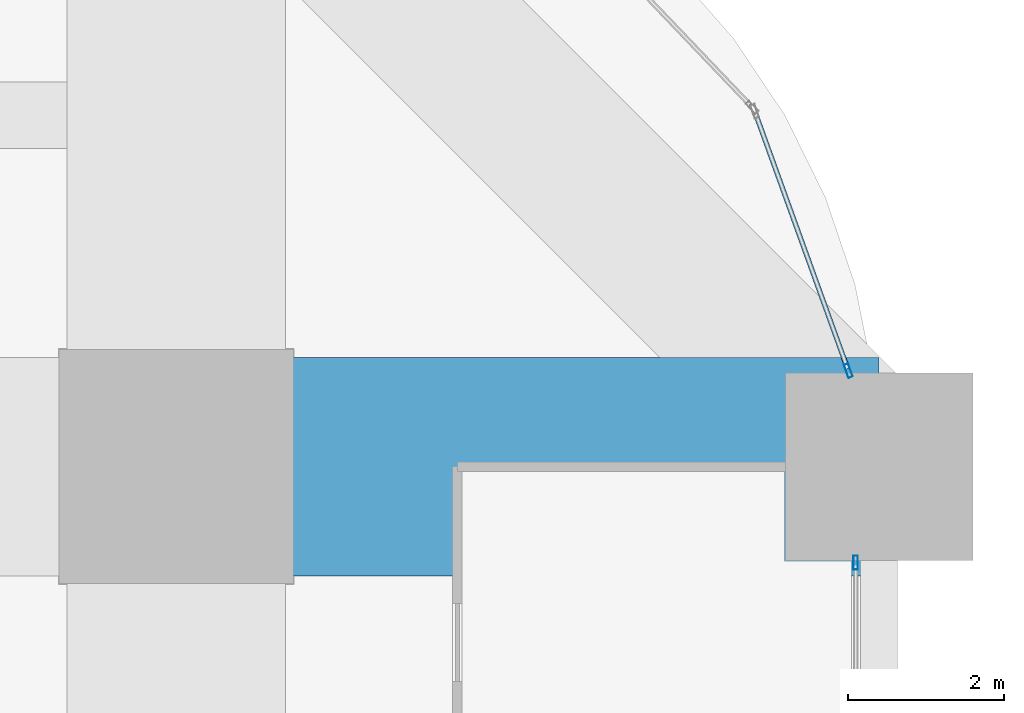
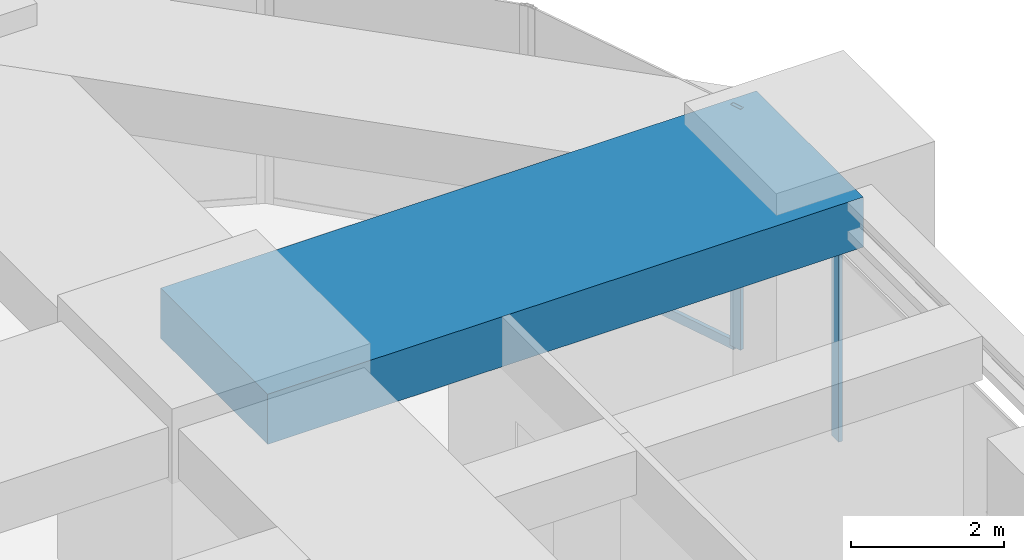
# One storey, part 33 of 42: 3 members, 1 beam, 2 elements without a shape of their own.
"""IFC4 building model written with IfcOpenShell, lengths in metres."""

from ifc_helpers import new_model, si_unit, direction, frame, origin, origin_2d, place, context, subcontext, project, spatial, rectangle, hollow_rectangle, extrude, material, material_profile, profile_set, type_object, element, aggregate, save


model = new_model("IFC4")

# Units and contexts
model_context = context("Model", 3, precision=1e-05, world=origin(), true_north=direction((0.0, 1.0)))
body_context = subcontext(model_context, "Body", "Model", "MODEL_VIEW")
ifc_project = project(units=[si_unit("LENGTHUNIT", "METRE"), si_unit("AREAUNIT", "SQUARE_METRE"), si_unit("VOLUMEUNIT", "CUBIC_METRE"), si_unit("PLANEANGLEUNIT", "RADIAN"), si_unit("MASSUNIT", "GRAM", prefix="KILO")], contexts=[model_context])

# Site, building, storey
site_placement = place(None, origin())
site = spatial("IfcSite", under=ifc_project, at=site_placement, CompositionType="ELEMENT")
building_placement = place(site_placement, origin())
building = spatial("IfcBuilding", under=site, at=building_placement, Name="Zorevar Civic Tower", CompositionType="ELEMENT")
storey_placement = place(building_placement, frame((0.0, 0.0, 75.800048828125)))
storey = spatial("IfcBuildingStorey", under=building, at=storey_placement, Name="L18", CompositionType="ELEMENT", Elevation=75.800048828125)

# Beam
ifc_material_1 = material(Name="Concrete C50/60", Category="concrete")
ifc_material_profile_1 = material_profile(ifc_material_1, rectangle(XDim=2.800048828125, YDim=0.800048828125, at=origin_2d()), Name="RC 2800x800")
ifc_profile_set_1 = profile_set([ifc_material_profile_1], Name="Concrete C50/60")
beam_type = type_object("IfcBeamType", Name="Beam RC 2800x800", PredefinedType="BEAM", material=ifc_profile_set_1)
beam_placement = place(storey_placement, frame((54.0, 45.0, 3.449951171875), z_axis=(1.0, 0.0, 0.0), x_axis=(0.0, 1.0, 0.0)))
element("IfcBeam", 1, at=beam_placement, inside=storey, type_object=beam_type, Name="Girder L19", PredefinedType="BEAM", context=body_context, shape_type="SweptSolid", body=[
    extrude(rectangle(XDim=2.800048828125, YDim=0.800048828125, at=origin_2d()), origin(), (0.0, 0.0, 1.0), 9.0),
])

# Curtain wall, member
ifc_material_2 = material(Name="Dark grey solar-control glass in black aluminium frame", Category="aluminium")
curtain_wall_type = type_object("IfcCurtainWallType", Name="Curtain wall CW2 low zone", PredefinedType="NOTDEFINED", material=ifc_material_2)
curtain_wall_1_placement = place(storey_placement, origin())
curtain_wall_1 = element("IfcCurtainWall", 2, at=curtain_wall_1_placement, inside=storey, type_object=curtain_wall_type, Name="CW2 L18", PredefinedType="NOTDEFINED")
ifc_material_3 = material(Name="Aluminium, black anodised", Category="aluminium")
ifc_material_profile_2 = material_profile(ifc_material_3, hollow_rectangle(XDim=0.06005859375, YDim=0.179931640625, WallThickness=0.00390625, at=origin_2d()), Name="AL 180x60x4")
ifc_profile_set_2 = profile_set([ifc_material_profile_2], Name="Aluminium, black anodised")
member_type_1 = type_object("IfcMemberType", Name="CW2 mullion AL 180x60x4", PredefinedType="MULLION", material=ifc_profile_set_2)
member_1_placement = place(storey_placement, frame((62.699951171875, 43.77001953125, 0.0), z_axis=(0.0, 0.0, 1.0), x_axis=(-1.0, 0.0, 0.0)))
member_1 = element("IfcMember", 3, at=member_1_placement, type_object=member_type_1, Name="CW2 mullion 2", PredefinedType="MULLION", context=body_context, shape_type="SweptSolid", body=[
    extrude(hollow_rectangle(XDim=0.06005859375, YDim=0.179931640625, WallThickness=0.00390625, at=origin_2d()), origin(), (0.0, 0.0, 1.0), 3.050048828125),
])
aggregate(curtain_wall_1, [member_1])

# Curtain wall, members
curtain_wall_2_placement = place(storey_placement, origin())
curtain_wall_2 = element("IfcCurtainWall", 4, at=curtain_wall_2_placement, inside=storey, type_object=curtain_wall_type, Name="CW2 L18", PredefinedType="NOTDEFINED")
member_2_placement = place(storey_placement, frame((62.606689453125, 46.228271484375, 0.0), z_axis=(0.0, 0.0, 1.0), x_axis=(-0.940636829761, -0.339414723454, 0.0)))
member_2 = element("IfcMember", 5, at=member_2_placement, type_object=member_type_1, Name="CW2 mullion 1", PredefinedType="MULLION", context=body_context, shape_type="SweptSolid", body=[
    extrude(hollow_rectangle(XDim=0.06005859375, YDim=0.179931640625, WallThickness=0.00390625, at=origin_2d()), origin(), (0.0, 0.0, 1.0), 3.849853515625),
])
ifc_material_4 = material(Name="Aluminium, black anodised", Category="aluminium")
ifc_material_profile_3 = material_profile(ifc_material_4, hollow_rectangle(XDim=0.06005859375, YDim=0.14990234375, WallThickness=0.00390625, at=origin_2d()), Name="AL 150x60x4")
ifc_profile_set_3 = profile_set([ifc_material_profile_3], Name="Aluminium, black anodised")
member_type_2 = type_object("IfcMemberType", Name="CW2 transom AL 150x60x4", PredefinedType="USERDEFINED", material=ifc_profile_set_3)
member_3_placement = place(storey_placement, frame((62.596435546875, 46.25634765625, 0.030029296875), z_axis=(-0.339381781019, 0.940648715894, 0.0), x_axis=(-0.940648715894, -0.339381781019, 0.0)))
member_3 = element("IfcMember", 6, at=member_3_placement, type_object=member_type_2, Name="CW2 sill transom", ObjectType="TRANSOM", PredefinedType="USERDEFINED", context=body_context, shape_type="SweptSolid", body=[
    extrude(hollow_rectangle(XDim=0.06005859375, YDim=0.14990234375, WallThickness=0.00390625, at=origin_2d()), origin(), (0.0, 0.0, 1.0), 3.4716796875),
])
aggregate(curtain_wall_2, [member_2, member_3])

save(model, "model.ifc")
